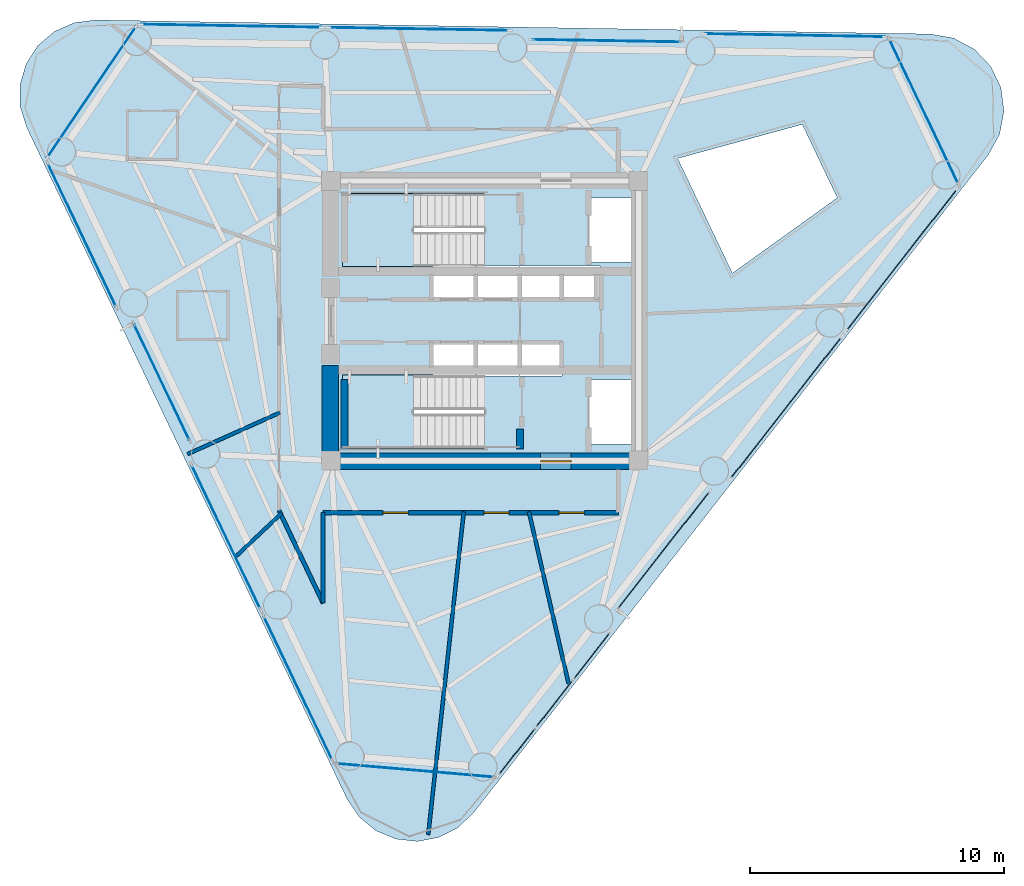
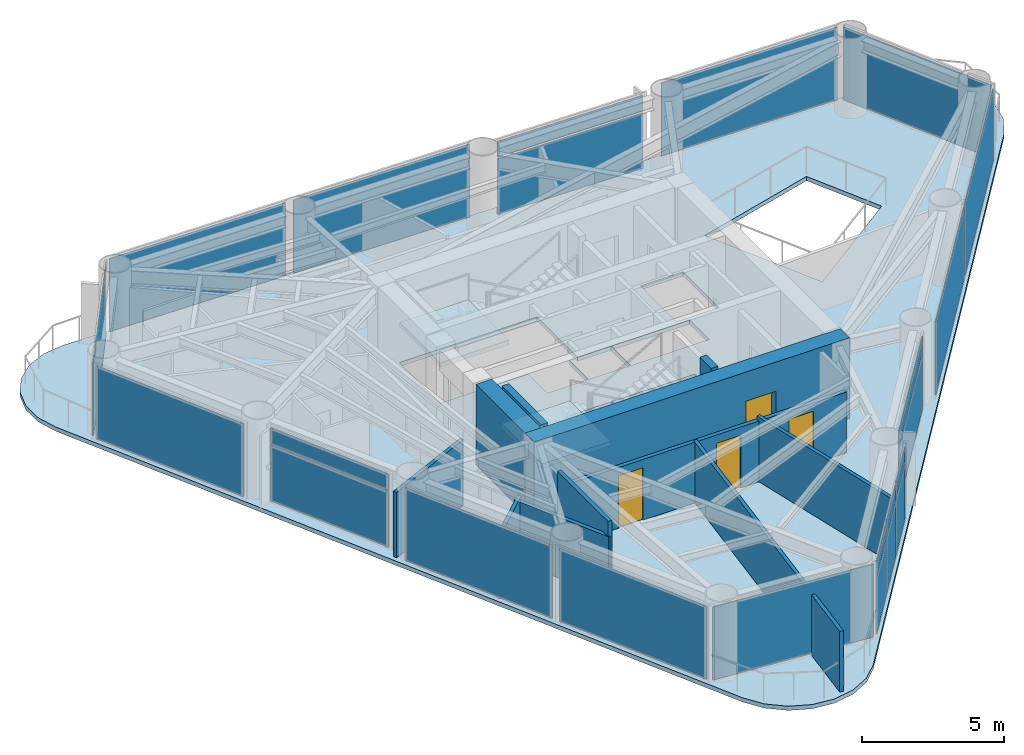
# One storey, part 4 of 9: 23 plates, 11 walls, 4 doors, 3 slabs, 4 openings, 17 elements without a shape of their own.
"""IFC4 building model written with IfcOpenShell, lengths in metres."""

from ifc_helpers import new_model, si_unit, direction, frame, frame_2d, origin, origin_2d, place, context, subcontext, project, spatial, polyline, rectangle, outline, extrude, source, transform, mapped, material, layer, layer_set, type_object, element, fill, aggregate, save


model = new_model("IFC4")

# Units and contexts
model_context = context("Model", 3, precision=1e-05, world=origin(), true_north=direction((0.0, 1.0)))
body_context = subcontext(model_context, "Body", "Model", "MODEL_VIEW")
ifc_project = project(units=[si_unit("LENGTHUNIT", "METRE"), si_unit("AREAUNIT", "SQUARE_METRE"), si_unit("VOLUMEUNIT", "CUBIC_METRE"), si_unit("PLANEANGLEUNIT", "RADIAN"), si_unit("MASSUNIT", "GRAM", prefix="KILO")], contexts=[model_context])

# Site, building, storey
site_placement = place(None, origin())
site = spatial("IfcSite", under=ifc_project, at=site_placement, CompositionType="ELEMENT")
building_placement = place(site_placement, origin())
building = spatial("IfcBuilding", under=site, at=building_placement, Name="Yunling Apex Tower", CompositionType="ELEMENT")
storey_placement = place(building_placement, frame((0.0, 0.0, 208.699951171875)))
storey = spatial("IfcBuildingStorey", under=building, at=storey_placement, Name="L51", CompositionType="ELEMENT", Elevation=208.699951171875)

# Slab
ifc_material_1 = material(Name="Concrete C40", Category="concrete")
ifc_layer_1 = layer(ifc_material_1, 0.1650390625)
ifc_layer_set_1 = layer_set([ifc_layer_1], Name="Concrete C40")
slab_type_1 = type_object("IfcSlabType", Name="SL-FLR-2", PredefinedType="FLOOR", material=ifc_layer_set_1)
slab_1_placement = place(storey_placement, frame((0.0, 0.0, -0.179931640625)))
element("IfcSlab", 1, at=slab_1_placement, inside=storey, type_object=slab_type_1, Name="L51 Composite Tower Floor Slab", PredefinedType="FLOOR", context=body_context, shape_type="SweptSolid", body=[
    extrude(outline(polyline([(-5.42578125, -18.80419921875), (-4.95068359375, -19.513427734375), (-4.29248046875, -20.056884765625), (-3.506103515625, -20.38916015625), (-2.65771484375, -20.482421875), (-1.818115234375, -20.32861328125), (-1.0576171875, -19.941162109375), (-0.439697265625, -19.35205078125), (19.8017578125, 6.518798828125), (20.25244140625, 7.333251953125), (20.427001953125, 8.24755859375), (20.307861328125, 9.1708984375), (19.9072265625, 10.010986328125), (19.2646484375, 10.684326171875), (18.4443359375, 11.1240234375), (17.527587890625, 11.286376953125), (-15.316162109375, 11.8369140625), (-16.16259765625, 11.7275390625), (-16.9423828125, 11.38037109375), (-17.59033203125, 10.824462890625), (-18.0517578125, 10.1064453125), (-18.288330078125, 9.286376953125), (-18.2802734375, 8.4326171875), (-18.0283203125, 7.6171875), (-5.42578125, -18.80419921875)]), holes=[polyline([(12.489013671875, 7.7294921875), (13.86669921875, 4.84130859375), (9.7412109375, 1.87646484375), (7.58837890625, 6.389404296875), (12.489013671875, 7.7294921875)]), polyline([(4.090087890625, -2.320068359375), (5.81005859375, -2.320068359375), (5.81005859375, -4.840087890625), (4.090087890625, -4.840087890625), (4.090087890625, -2.320068359375)]), polyline([(5.81005859375, 4.840087890625), (5.81005859375, 2.320068359375), (4.090087890625, 2.320068359375), (4.090087890625, 4.840087890625), (5.81005859375, 4.840087890625)]), polyline([(1.364990234375, 2.1650390625), (4.534912109375, 2.1650390625), (4.534912109375, 0.794921875), (1.364990234375, 0.794921875), (1.364990234375, 2.1650390625)]), polyline([(3.034912109375, -0.794921875), (3.034912109375, -2.1650390625), (1.364990234375, -2.1650390625), (1.364990234375, -0.794921875), (3.034912109375, -0.794921875)]), polyline([(-2.034912109375, -0.794921875), (-0.364990234375, -0.794921875), (-0.364990234375, -2.139892578125), (-0.3349609375, -2.139892578125), (-0.3349609375, -0.794921875), (1.3349609375, -0.794921875), (1.3349609375, -2.1650390625), (-0.010009765625, -2.1650390625), (-0.010009765625, -5.010009765625), (-5.60009765625, -5.010009765625), (-5.60009765625, -2.139892578125), (-2.034912109375, -2.139892578125), (-2.034912109375, -0.794921875)]), polyline([(-5.60009765625, 2.139892578125), (-5.60009765625, 5.010009765625), (-0.010009765625, 5.010009765625), (-0.010009765625, 2.1650390625), (1.3349609375, 2.1650390625), (1.3349609375, 0.794921875), (-0.3349609375, 0.794921875), (-0.3349609375, 2.139892578125), (-0.364990234375, 2.139892578125), (-0.364990234375, 0.794921875), (-2.034912109375, 0.794921875), (-2.034912109375, 2.139892578125), (-5.60009765625, 2.139892578125)])]), origin(), (0.0, 0.0, 1.0), 0.179931640625),
])

# Stair, slab
stair_type = type_object("IfcStairType", Name="ST-TWR-2", PredefinedType="HALF_TURN_STAIR", material=ifc_material_1)
stair_1_placement = place(storey_placement, origin())
stair_1 = element("IfcStair", 2, at=stair_1_placement, inside=storey, type_object=stair_type, Name="L51 North Core Smokeproof Exit Stair ST-1", PredefinedType="HALF_TURN_STAIR")
ifc_layer_2 = layer(ifc_material_1, 0.195068359375)
ifc_layer_set_2 = layer_set([ifc_layer_2], Name="Concrete C40")
slab_type_2 = type_object("IfcSlabType", Name="SL-LND-1", PredefinedType="LANDING", material=ifc_layer_set_2)
slab_2_placement = place(storey_placement, frame((0.0, 0.0, 1.530029296875)))
slab_2 = element("IfcSlab", 3, at=slab_2_placement, type_object=slab_type_2, Name="ST-1 landing 1", PredefinedType="LANDING", context=body_context, shape_type="SweptSolid", body=[
    extrude(outline(polyline([(-2.81005859375, 5.010009765625), (-5.60009765625, 5.010009765625), (-5.60009765625, 2.139892578125), (-2.81005859375, 2.139892578125), (-2.81005859375, 5.010009765625)])), origin(), (0.0, 0.0, 1.0), 0.195068359375),
])
aggregate(stair_1, [slab_2])

stair_2_placement = place(storey_placement, origin())
stair_2 = element("IfcStair", 4, at=stair_2_placement, inside=storey, type_object=stair_type, Name="L51 South Core Smokeproof Exit Stair ST-2", PredefinedType="HALF_TURN_STAIR")
slab_3_placement = place(storey_placement, frame((0.0, 0.0, 1.530029296875)))
slab_3 = element("IfcSlab", 5, at=slab_3_placement, type_object=slab_type_2, Name="ST-2 landing 1", PredefinedType="LANDING", context=body_context, shape_type="SweptSolid", body=[
    extrude(outline(polyline([(-2.81005859375, -2.139892578125), (-5.60009765625, -2.139892578125), (-5.60009765625, -5.010009765625), (-2.81005859375, -5.010009765625), (-2.81005859375, -2.139892578125)])), origin(), (0.0, 0.0, 1.0), 0.195068359375),
])
aggregate(stair_2, [slab_3])

# Curtain wall, plates
ifc_material_2 = material(Name="Bronze anodised aluminium", Category="aluminium")
ifc_layer_3 = layer(ifc_material_2, 0.239990234375)
ifc_layer_set_3 = layer_set([ifc_layer_3], Name="Bronze anodised aluminium")
curtain_wall_type = type_object("IfcCurtainWallType", Name="CW-SYS-3", PredefinedType="NOTDEFINED", material=ifc_layer_set_3)
curtain_wall_1_placement = place(storey_placement, origin())
curtain_wall_1 = element("IfcCurtainWall", 6, at=curtain_wall_1_placement, inside=storey, type_object=curtain_wall_type, Name="CW-L51-F1-B1", PredefinedType="NOTDEFINED")
ifc_material_3 = material(Name="Bronze tinted low-E glass", Category="glass")
ifc_layer_4 = layer(ifc_material_3, 0.031982421875)
ifc_layer_set_4 = layer_set([ifc_layer_4], Name="Bronze tinted low-E glass")
plate_type = type_object("IfcPlateType", Name="CW-PNL-3", PredefinedType="CURTAIN_PANEL", material=ifc_layer_set_4)
shared_shape_1 = source(origin(), body_context, "Body", "SweptSolid", [
    extrude(rectangle(XDim=2.306396484375, YDim=0.031982421875, at=origin_2d()), origin(), (0.0, 0.0, 1.0), 2.381103515625),
])
plate_1_placement = place(storey_placement, frame((1.266357421875, -16.9443359375, 0.072265625), z_axis=(0.0, 0.0, 1.0), x_axis=(0.616200489644, 0.787589332433, 0.0)))
plate_1 = element("IfcPlate", 7, at=plate_1_placement, type_object=plate_type, Name="CW-SYS-3 panel 1.1", PredefinedType="CURTAIN_PANEL", context=body_context, shape_type="MappedRepresentation", body=[
    mapped(shared_shape_1, transform((0.0, 0.0, 0.0), scale=1.0)),
])
plate_2_placement = place(storey_placement, frame((4.212158203125, -13.17919921875, 0.072265625), z_axis=(0.0, 0.0, 1.0), x_axis=(0.616200489644, 0.787589332433, 0.0)))
plate_2 = element("IfcPlate", 8, at=plate_2_placement, type_object=plate_type, Name="CW-SYS-3 panel 3.1", PredefinedType="CURTAIN_PANEL", context=body_context, shape_type="MappedRepresentation", body=[
    mapped(shared_shape_1, transform((0.0, 0.0, 0.0), scale=1.0)),
])
shared_shape_2 = source(origin(), body_context, "Body", "SweptSolid", [
    extrude(rectangle(XDim=2.306396484375, YDim=0.031982421875, at=origin_2d()), origin(), (0.0, 0.0, 1.0), 0.680908203125),
])
plate_3_placement = place(storey_placement, frame((1.266357421875, -16.9443359375, 2.51708984375), z_axis=(0.0, 0.0, 1.0), x_axis=(0.616200489644, 0.787589332433, 0.0)))
plate_3 = element("IfcPlate", 9, at=plate_3_placement, type_object=plate_type, Name="CW-SYS-3 panel 1.2", PredefinedType="CURTAIN_PANEL", context=body_context, shape_type="MappedRepresentation", body=[
    mapped(shared_shape_2, transform((0.0, 0.0, 0.0), scale=1.0)),
])
plate_4_placement = place(storey_placement, frame((4.212158203125, -13.17919921875, 2.51708984375), z_axis=(0.0, 0.0, 1.0), x_axis=(0.616200489644, 0.787589332433, 0.0)))
plate_4 = element("IfcPlate", 10, at=plate_4_placement, type_object=plate_type, Name="CW-SYS-3 panel 3.2", PredefinedType="CURTAIN_PANEL", context=body_context, shape_type="MappedRepresentation", body=[
    mapped(shared_shape_2, transform((0.0, 0.0, 0.0), scale=1.0)),
])
shared_shape_3 = source(origin(), body_context, "Body", "SweptSolid", [
    extrude(rectangle(XDim=2.34619140625, YDim=0.031982421875, at=origin_2d()), origin(), (0.0, 0.0, 1.0), 2.381103515625),
])
plate_5_placement = place(storey_placement, frame((2.7392578125, -15.061767578125, 0.072265625), z_axis=(0.0, 0.0, 1.0), x_axis=(0.616200489644, 0.787589332433, 0.0)))
plate_5 = element("IfcPlate", 11, at=plate_5_placement, type_object=plate_type, Name="CW-SYS-3 panel 2.1", PredefinedType="CURTAIN_PANEL", context=body_context, shape_type="MappedRepresentation", body=[
    mapped(shared_shape_3, transform((0.0, 0.0, 0.0), scale=1.0)),
])
shared_shape_4 = source(origin(), body_context, "Body", "SweptSolid", [
    extrude(rectangle(XDim=2.34619140625, YDim=0.031982421875, at=origin_2d()), origin(), (0.0, 0.0, 1.0), 0.680908203125),
])
plate_6_placement = place(storey_placement, frame((2.7392578125, -15.061767578125, 2.51708984375), z_axis=(0.0, 0.0, 1.0), x_axis=(0.616200489644, 0.787589332433, 0.0)))
plate_6 = element("IfcPlate", 12, at=plate_6_placement, type_object=plate_type, Name="CW-SYS-3 panel 2.2", PredefinedType="CURTAIN_PANEL", context=body_context, shape_type="MappedRepresentation", body=[
    mapped(shared_shape_4, transform((0.0, 0.0, 0.0), scale=1.0)),
])
aggregate(curtain_wall_1, [plate_1, plate_3, plate_5, plate_6, plate_2, plate_4])

# Curtain wall, plate
curtain_wall_2_placement = place(storey_placement, origin())
curtain_wall_2 = element("IfcCurtainWall", 13, at=curtain_wall_2_placement, inside=storey, type_object=curtain_wall_type, Name="CW-L51-F1-B2", PredefinedType="NOTDEFINED")
shared_shape_5 = source(origin(), body_context, "Body", "SweptSolid", [
    extrude(rectangle(XDim=5.846923828125, YDim=0.031982421875, at=origin_2d()), origin(), (0.0, 0.0, 1.0), 2.381103515625),
])
plate_7_placement = place(storey_placement, frame((7.025634765625, -9.03125, 0.072265625), z_axis=(0.0, 0.0, 1.0), x_axis=(0.616216892053, 0.787576499109, 0.0)))
plate_7 = element("IfcPlate", 14, at=plate_7_placement, type_object=plate_type, Name="CW-SYS-3 panel 1.1", PredefinedType="CURTAIN_PANEL", context=body_context, shape_type="MappedRepresentation", body=[
    mapped(shared_shape_5, transform((0.0, 0.0, 0.0), scale=1.0)),
])

curtain_wall_3_placement = place(storey_placement, origin())
curtain_wall_3 = element("IfcCurtainWall", 15, at=curtain_wall_3_placement, inside=storey, type_object=curtain_wall_type, Name="CW-L51-F2-B2", PredefinedType="NOTDEFINED")
plate_8_placement = place(storey_placement, frame((4.792724609375, 11.019775390625, 0.072265625), z_axis=(0.0, 0.0, 1.0), x_axis=(-0.999859564213, 0.016758635119, 0.0)))
plate_8 = element("IfcPlate", 16, at=plate_8_placement, type_object=plate_type, Name="CW-SYS-3 panel 1.1", PredefinedType="CURTAIN_PANEL", context=body_context, shape_type="MappedRepresentation", body=[
    mapped(shared_shape_5, transform((0.0, 0.0, 0.0), scale=1.0)),
])

# Plate
shared_shape_6 = source(origin(), body_context, "Body", "SweptSolid", [
    extrude(rectangle(XDim=5.846923828125, YDim=0.031982421875, at=origin_2d()), origin(), (0.0, 0.0, 1.0), 0.680908203125),
])
plate_9_placement = place(storey_placement, frame((7.025634765625, -9.03125, 2.51708984375), z_axis=(0.0, 0.0, 1.0), x_axis=(0.616216892053, 0.787576499109, 0.0)))
plate_9 = element("IfcPlate", 17, at=plate_9_placement, type_object=plate_type, Name="CW-SYS-3 panel 1.2", PredefinedType="CURTAIN_PANEL", context=body_context, shape_type="MappedRepresentation", body=[
    mapped(shared_shape_6, transform((0.0, 0.0, 0.0), scale=1.0)),
])

aggregate(curtain_wall_2, [plate_7, plate_9])

plate_10_placement = place(storey_placement, frame((4.792724609375, 11.019775390625, 2.51708984375), z_axis=(0.0, 0.0, 1.0), x_axis=(-0.999859564213, 0.016758635119, 0.0)))
plate_10 = element("IfcPlate", 18, at=plate_10_placement, type_object=plate_type, Name="CW-SYS-3 panel 1.2", PredefinedType="CURTAIN_PANEL", context=body_context, shape_type="MappedRepresentation", body=[
    mapped(shared_shape_6, transform((0.0, 0.0, 0.0), scale=1.0)),
])

aggregate(curtain_wall_3, [plate_8, plate_10])

# Curtain wall, plate
curtain_wall_4_placement = place(storey_placement, origin())
curtain_wall_4 = element("IfcCurtainWall", 19, at=curtain_wall_4_placement, inside=storey, type_object=curtain_wall_type, Name="CW-L51-F1-B3", PredefinedType="NOTDEFINED")
shared_shape_7 = source(origin(), body_context, "Body", "SweptSolid", [
    extrude(rectangle(XDim=7.0869140625, YDim=0.031982421875, at=origin_2d()), origin(), (0.0, 0.0, 1.0), 3.1259765625),
])
plate_11_placement = place(storey_placement, frame((11.847900390625, -3.419921875, 0.072021484375), z_axis=(0.0, 0.0, 1.0), x_axis=(0.616200489644, 0.787589332433, 0.0)))
plate_11 = element("IfcPlate", 20, at=plate_11_placement, type_object=plate_type, Name="CW-SYS-3 panel 1.1", PredefinedType="CURTAIN_PANEL", context=body_context, shape_type="MappedRepresentation", body=[
    mapped(shared_shape_7, transform((0.0, 0.0, 0.0), scale=1.0)),
])
aggregate(curtain_wall_4, [plate_11])

curtain_wall_5_placement = place(storey_placement, origin())
curtain_wall_5 = element("IfcCurtainWall", 21, at=curtain_wall_5_placement, inside=storey, type_object=curtain_wall_type, Name="CW-L51-F1-B4", PredefinedType="NOTDEFINED")
plate_12_placement = place(storey_placement, frame((16.402099609375, 2.401123046875, 0.072021484375), z_axis=(0.0, 0.0, 1.0), x_axis=(0.616200489644, 0.787589332433, 0.0)))
plate_12 = element("IfcPlate", 22, at=plate_12_placement, type_object=plate_type, Name="CW-SYS-3 panel 1.1", PredefinedType="CURTAIN_PANEL", context=body_context, shape_type="MappedRepresentation", body=[
    mapped(shared_shape_7, transform((0.0, 0.0, 0.0), scale=1.0)),
])
aggregate(curtain_wall_5, [plate_12])

curtain_wall_6_placement = place(storey_placement, origin())
curtain_wall_6 = element("IfcCurtainWall", 23, at=curtain_wall_6_placement, inside=storey, type_object=curtain_wall_type, Name="CW-L51-F2-B1", PredefinedType="NOTDEFINED")
plate_13_placement = place(storey_placement, frame((12.188232421875, 11.23583984375, 0.072021484375), z_axis=(0.0, 0.0, 1.0), x_axis=(-0.999859518498, 0.016761362354, 0.0)))
plate_13 = element("IfcPlate", 24, at=plate_13_placement, type_object=plate_type, Name="CW-SYS-3 panel 1.1", PredefinedType="CURTAIN_PANEL", context=body_context, shape_type="MappedRepresentation", body=[
    mapped(shared_shape_7, transform((0.0, 0.0, 0.0), scale=1.0)),
])
aggregate(curtain_wall_6, [plate_13])

curtain_wall_7_placement = place(storey_placement, origin())
curtain_wall_7 = element("IfcCurtainWall", 25, at=curtain_wall_7_placement, inside=storey, type_object=curtain_wall_type, Name="CW-L51-F2-B3", PredefinedType="NOTDEFINED")
plate_14_placement = place(storey_placement, frame((-2.591552734375, 11.483642578125, 0.072021484375), z_axis=(0.0, 0.0, 1.0), x_axis=(-0.999859754051, 0.016747305141, 0.0)))
plate_14 = element("IfcPlate", 26, at=plate_14_placement, type_object=plate_type, Name="CW-SYS-3 panel 1.1", PredefinedType="CURTAIN_PANEL", context=body_context, shape_type="MappedRepresentation", body=[
    mapped(shared_shape_7, transform((0.0, 0.0, 0.0), scale=1.0)),
])
aggregate(curtain_wall_7, [plate_14])

curtain_wall_8_placement = place(storey_placement, origin())
curtain_wall_8 = element("IfcCurtainWall", 27, at=curtain_wall_8_placement, inside=storey, type_object=curtain_wall_type, Name="CW-L51-F2-B4", PredefinedType="NOTDEFINED")
plate_15_placement = place(storey_placement, frame((-9.9814453125, 11.607421875, 0.072021484375), z_axis=(0.0, 0.0, 1.0), x_axis=(-0.999859518498, 0.016761362354, 0.0)))
plate_15 = element("IfcPlate", 28, at=plate_15_placement, type_object=plate_type, Name="CW-SYS-3 panel 1.1", PredefinedType="CURTAIN_PANEL", context=body_context, shape_type="MappedRepresentation", body=[
    mapped(shared_shape_7, transform((0.0, 0.0, 0.0), scale=1.0)),
])
aggregate(curtain_wall_8, [plate_15])

curtain_wall_9_placement = place(storey_placement, origin())
curtain_wall_9 = element("IfcCurtainWall", 29, at=curtain_wall_9_placement, inside=storey, type_object=curtain_wall_type, Name="CW-L51-CRN1", PredefinedType="NOTDEFINED")
shared_shape_8 = source(origin(), body_context, "Body", "SweptSolid", [
    extrude(rectangle(XDim=6.31494140625, YDim=0.031982421875, at=origin_2d()), origin(), (0.0, 0.0, 1.0), 3.1259765625),
])
plate_16_placement = place(storey_placement, frame((17.273193359375, 8.239013671875, 0.072021484375), z_axis=(0.0, 0.0, 1.0), x_axis=(-0.430527245951, 0.902577581426, 0.0)))
plate_16 = element("IfcPlate", 30, at=plate_16_placement, type_object=plate_type, Name="CW-SYS-3 panel 1.1", PredefinedType="CURTAIN_PANEL", context=body_context, shape_type="MappedRepresentation", body=[
    mapped(shared_shape_8, transform((0.0, 0.0, 0.0), scale=1.0)),
])
aggregate(curtain_wall_9, [plate_16])

curtain_wall_10_placement = place(storey_placement, origin())
curtain_wall_10 = element("IfcCurtainWall", 31, at=curtain_wall_10_placement, inside=storey, type_object=curtain_wall_type, Name="CW-L51-CRN2", PredefinedType="NOTDEFINED")
shared_shape_9 = source(origin(), body_context, "Body", "SweptSolid", [
    extrude(rectangle(XDim=6.237060546875, YDim=0.031982421875, at=origin_2d()), origin(), (0.0, 0.0, 1.0), 3.1259765625),
])
plate_17_placement = place(storey_placement, frame((-15.465087890625, 9.007080078125, 0.072021484375), z_axis=(0.0, 0.0, 1.0), x_axis=(-0.56057021458, -0.828106898006, 0.0)))
plate_17 = element("IfcPlate", 32, at=plate_17_placement, type_object=plate_type, Name="CW-SYS-3 panel 1.1", PredefinedType="CURTAIN_PANEL", context=body_context, shape_type="MappedRepresentation", body=[
    mapped(shared_shape_9, transform((0.0, 0.0, 0.0), scale=1.0)),
])
aggregate(curtain_wall_10, [plate_17])

curtain_wall_11_placement = place(storey_placement, origin())
curtain_wall_11 = element("IfcCurtainWall", 33, at=curtain_wall_11_placement, inside=storey, type_object=curtain_wall_type, Name="CW-L51-CRN3", PredefinedType="NOTDEFINED")
plate_18_placement = place(storey_placement, frame((-2.732666015625, -17.68701171875, 0.072021484375), z_axis=(0.0, 0.0, 1.0), x_axis=(0.996336698637, -0.085517150026, 0.0)))
plate_18 = element("IfcPlate", 34, at=plate_18_placement, type_object=plate_type, Name="CW-SYS-3 panel 1.1", PredefinedType="CURTAIN_PANEL", context=body_context, shape_type="MappedRepresentation", body=[
    mapped(shared_shape_9, transform((0.0, 0.0, 0.0), scale=1.0)),
])
aggregate(curtain_wall_11, [plate_18])

curtain_wall_12_placement = place(storey_placement, origin())
curtain_wall_12 = element("IfcCurtainWall", 35, at=curtain_wall_12_placement, inside=storey, type_object=curtain_wall_type, Name="CW-L51-F3-B1", PredefinedType="NOTDEFINED")
shared_shape_10 = source(origin(), body_context, "Body", "SweptSolid", [
    extrude(rectangle(XDim=6.282470703125, YDim=0.031982421875, at=origin_2d()), origin(), (0.0, 0.0, 1.0), 3.1259765625),
])
plate_19_placement = place(storey_placement, frame((-15.85400390625, 3.384033203125, 0.072021484375), z_axis=(0.0, 0.0, 1.0), x_axis=(0.430517577128, -0.902582193367, 0.0)))
plate_19 = element("IfcPlate", 36, at=plate_19_placement, type_object=plate_type, Name="CW-SYS-3 panel 1.1", PredefinedType="CURTAIN_PANEL", context=body_context, shape_type="MappedRepresentation", body=[
    mapped(shared_shape_10, transform((0.0, 0.0, 0.0), scale=1.0)),
])
aggregate(curtain_wall_12, [plate_19])

curtain_wall_13_placement = place(storey_placement, origin())
curtain_wall_13 = element("IfcCurtainWall", 37, at=curtain_wall_13_placement, inside=storey, type_object=curtain_wall_type, Name="CW-L51-F3-B3", PredefinedType="NOTDEFINED")
plate_20_placement = place(storey_placement, frame((-10.182861328125, -8.505615234375, 0.072021484375), z_axis=(0.0, 0.0, 1.0), x_axis=(0.430504900417, -0.902588239851, 0.0)))
plate_20 = element("IfcPlate", 38, at=plate_20_placement, type_object=plate_type, Name="CW-SYS-3 panel 1.1", PredefinedType="CURTAIN_PANEL", context=body_context, shape_type="MappedRepresentation", body=[
    mapped(shared_shape_10, transform((0.0, 0.0, 0.0), scale=1.0)),
])
aggregate(curtain_wall_13, [plate_20])

curtain_wall_14_placement = place(storey_placement, origin())
curtain_wall_14 = element("IfcCurtainWall", 39, at=curtain_wall_14_placement, inside=storey, type_object=curtain_wall_type, Name="CW-L51-F3-B4", PredefinedType="NOTDEFINED")
plate_21_placement = place(storey_placement, frame((-7.347412109375, -14.450439453125, 0.072021484375), z_axis=(0.0, 0.0, 1.0), x_axis=(0.430517577128, -0.902582193367, 0.0)))
plate_21 = element("IfcPlate", 40, at=plate_21_placement, type_object=plate_type, Name="CW-SYS-3 panel 1.1", PredefinedType="CURTAIN_PANEL", context=body_context, shape_type="MappedRepresentation", body=[
    mapped(shared_shape_10, transform((0.0, 0.0, 0.0), scale=1.0)),
])
aggregate(curtain_wall_14, [plate_21])

# Curtain wall, plates
curtain_wall_15_placement = place(storey_placement, origin())
curtain_wall_15 = element("IfcCurtainWall", 41, at=curtain_wall_15_placement, inside=storey, type_object=curtain_wall_type, Name="CW-L51-F3-B2", PredefinedType="NOTDEFINED")
shared_shape_11 = source(origin(), body_context, "Body", "SweptSolid", [
    extrude(rectangle(XDim=5.042236328125, YDim=0.031982421875, at=origin_2d()), origin(), (0.0, 0.0, 1.0), 2.381103515625),
])
plate_22_placement = place(storey_placement, frame((-12.71142578125, -2.41455078125, 0.072265625), z_axis=(0.0, 0.0, 1.0), x_axis=(0.430515783062, -0.902583049107, 0.0)))
plate_22 = element("IfcPlate", 42, at=plate_22_placement, type_object=plate_type, Name="CW-SYS-3 panel 1.1", PredefinedType="CURTAIN_PANEL", context=body_context, shape_type="MappedRepresentation", body=[
    mapped(shared_shape_11, transform((0.0, 0.0, 0.0), scale=1.0)),
])
shared_shape_12 = source(origin(), body_context, "Body", "SweptSolid", [
    extrude(rectangle(XDim=5.042236328125, YDim=0.031982421875, at=origin_2d()), origin(), (0.0, 0.0, 1.0), 0.680908203125),
])
plate_23_placement = place(storey_placement, frame((-12.71142578125, -2.41455078125, 2.51708984375), z_axis=(0.0, 0.0, 1.0), x_axis=(0.430515783062, -0.902583049107, 0.0)))
plate_23 = element("IfcPlate", 43, at=plate_23_placement, type_object=plate_type, Name="CW-SYS-3 panel 1.2", PredefinedType="CURTAIN_PANEL", context=body_context, shape_type="MappedRepresentation", body=[
    mapped(shared_shape_12, transform((0.0, 0.0, 0.0), scale=1.0)),
])
aggregate(curtain_wall_15, [plate_22, plate_23])

# Wall, opening, door
ifc_material_4 = material(Name="Concrete C50", Category="concrete")
ifc_layer_5 = layer(ifc_material_4, 0.64990234375)
ifc_layer_set_5 = layer_set([ifc_layer_5], Name="Concrete C50")
wall_type_1 = type_object("IfcWallType", Name="WL-COR-2", PredefinedType="SHEAR", material=ifc_layer_set_5)
wall_1_placement = place(storey_placement, frame((-6.39990234375, -5.52490234375, 0.0), z_axis=(0.0, 0.0, 1.0), x_axis=(1.0, 0.0, 0.0)))
wall_1 = element("IfcWall", 44, at=wall_1_placement, inside=storey, type_object=wall_type_1, Name="L51 South Core Shear Wall", PredefinedType="SHEAR", context=body_context, shape_type="SweptSolid", body=[
    extrude(rectangle(XDim=12.7998046875, YDim=0.64990234375, at=frame_2d((6.39990234375, 0.0))), origin(), (0.0, 0.0, 1.0), 3.449951171875),
])
opening_1_placement = place(wall_1_placement, frame((8.60009765625, 0.0, 0.0)))
opening_1 = element("IfcOpeningElement", 45, at=opening_1_placement, cuts=wall_1, Name="Opening DR-FFL-1", PredefinedType="OPENING", context=body_context, shape_type="SweptSolid", body=[
    extrude(rectangle(XDim=1.199951171875, YDim=2.199951171875, at=frame_2d((0.60009765625, 1.10009765625))), frame((0.0, 0.3349609375, 0.0), z_axis=(0.0, -1.0, 0.0), x_axis=(1.0, 0.0, 0.0)), (0.0, 0.0, 1.0), 0.669921875),
])
ifc_material_5 = material(Name="Steel Q355B", Category="steel")
door_type_1 = type_object("IfcDoorType", Name="DR-FFL-1", OperationType="NOTDEFINED", PredefinedType="DOOR", material=ifc_material_5)
door_1_placement = place(opening_1_placement, origin())
door_1 = element("IfcDoor", 46, at=door_1_placement, inside=storey, type_object=door_type_1, Name="L51 South Firefighting Lobby Door", OperationType="SINGLE_SWING_RIGHT", OverallHeight=2.199951171875, OverallWidth=1.199951171875, PredefinedType="DOOR", context=body_context, shape_type="SweptSolid", body=[
    extrude(rectangle(XDim=1.199951171875, YDim=2.199951171875, at=frame_2d((0.60009765625, 1.10009765625))), frame((0.0, 0.02490234375, 0.0), z_axis=(0.0, -1.0, 0.0), x_axis=(1.0, 0.0, 0.0)), (0.0, 0.0, 1.0), 0.050048828125),
])
fill(opening_1, door_1)

# Walls
wall_2_placement = place(storey_placement, frame((-6.074951171875, -5.199951171875, 0.0), z_axis=(0.0, 0.0, 1.0), x_axis=(0.0, 1.0, 0.0)))
element("IfcWall", 47, at=wall_2_placement, inside=storey, type_object=wall_type_1, Name="L51 West-South Core Shear Wall", PredefinedType="SHEAR", context=body_context, shape_type="SweptSolid", body=[
    extrude(rectangle(XDim=3.449951171875, YDim=0.64990234375, at=frame_2d((1.72509765625, 0.0))), origin(), (0.0, 0.0, 1.0), 3.449951171875),
])
ifc_layer_6 = layer(ifc_material_1, 0.280029296875)
ifc_layer_set_6 = layer_set([ifc_layer_6], Name="Concrete C40")
wall_type_2 = type_object("IfcWallType", Name="WL-COR-8", PredefinedType="SHEAR", material=ifc_layer_set_6)
wall_3_placement = place(storey_placement, frame((-5.52001953125, -5.050048828125, 0.0), z_axis=(0.0, 0.0, 1.0), x_axis=(0.0, 1.0, 0.0)))
element("IfcWall", 48, at=wall_3_placement, inside=storey, type_object=wall_type_2, Name="L51 ST-2 West Landing Bearing Wall", PredefinedType="SHEAR", context=body_context, shape_type="SweptSolid", body=[
    extrude(rectangle(XDim=2.75, YDim=0.280029296875, at=frame_2d((1.375, 0.0))), origin(), (0.0, 0.0, 1.0), 3.449951171875),
])
wall_4_placement = place(storey_placement, frame((1.3798828125, -5.050048828125, 0.0), z_axis=(0.0, 0.0, 1.0), x_axis=(0.0, 1.0, 0.0)))
element("IfcWall", 49, at=wall_4_placement, inside=storey, type_object=wall_type_2, Name="L51 ST-2 East Landing Bearing Pier", PredefinedType="SHEAR", context=body_context, shape_type="SweptSolid", body=[
    extrude(rectangle(XDim=0.800048828125, YDim=0.280029296875, at=frame_2d((0.39990234375, 0.0))), origin(), (0.0, 0.0, 1.0), 3.449951171875),
])
ifc_material_6 = material(Name="Gypsum board acoustic partition")
ifc_layer_7 = layer(ifc_material_6, 0.159912109375)
ifc_layer_set_7 = layer_set([ifc_layer_7], Name="Gypsum board acoustic partition")
wall_type_3 = type_object("IfcWallType", Name="WL-PRT-1", PredefinedType="PARTITIONING", material=ifc_layer_set_7)
wall_5_placement = place(storey_placement, frame((-6.360107421875, -11.1083984375, 0.0), z_axis=(0.0, 0.0, 1.0), x_axis=(-0.430489180359, 0.902595737633, 0.0)))
element("IfcWall", 50, at=wall_5_placement, inside=storey, type_object=wall_type_3, Name="WL-CORR-L51-01", PredefinedType="PARTITIONING", context=body_context, shape_type="SweptSolid", body=[
    extrude(rectangle(XDim=4.0419921875, YDim=0.159912109375, at=frame_2d((2.02099609375, 0.0))), origin(), (0.0, 0.0, 1.0), 2.60498046875),
])

# Wall, openings, doors
wall_6_placement = place(storey_placement, frame((5.25, -7.550048828125, 0.0), z_axis=(0.0, 0.0, 1.0), x_axis=(-1.0, 0.0, 0.0)))
wall_6 = element("IfcWall", 51, at=wall_6_placement, inside=storey, type_object=wall_type_3, Name="WL-CORR-L51-09", PredefinedType="PARTITIONING", context=body_context, shape_type="SweptSolid", body=[
    extrude(rectangle(XDim=11.610107421875, YDim=0.159912109375, at=frame_2d((5.80517578125, 0.0))), origin(), (0.0, 0.0, 1.0), 2.60498046875),
])
opening_2_placement = place(wall_6_placement, frame((1.337158203125, 0.0, 0.0)))
opening_2 = element("IfcOpeningElement", 52, at=opening_2_placement, cuts=wall_6, Name="Opening DR-OFF-1", PredefinedType="OPENING", context=body_context, shape_type="SweptSolid", body=[
    extrude(rectangle(XDim=1.0, YDim=2.25, at=frame_2d((0.5, 1.125))), frame((0.0, 0.08984375, 0.0), z_axis=(0.0, -1.0, 0.0), x_axis=(1.0, 0.0, 0.0)), (0.0, 0.0, 1.0), 0.179931640625),
])
opening_3_placement = place(wall_6_placement, frame((4.290283203125, 0.0, 0.0)))
opening_3 = element("IfcOpeningElement", 53, at=opening_3_placement, cuts=wall_6, Name="Opening DR-OFF-1", PredefinedType="OPENING", context=body_context, shape_type="SweptSolid", body=[
    extrude(rectangle(XDim=1.0, YDim=2.25, at=frame_2d((0.5, 1.125))), frame((0.0, 0.08984375, 0.0), z_axis=(0.0, -1.0, 0.0), x_axis=(1.0, 0.0, 0.0)), (0.0, 0.0, 1.0), 0.179931640625),
])
opening_4_placement = place(wall_6_placement, frame((8.25634765625, 0.0, 0.0)))
opening_4 = element("IfcOpeningElement", 54, at=opening_4_placement, cuts=wall_6, Name="Opening DR-OFF-1", PredefinedType="OPENING", context=body_context, shape_type="SweptSolid", body=[
    extrude(rectangle(XDim=1.0, YDim=2.25, at=frame_2d((0.5, 1.125))), frame((0.0, 0.08984375, 0.0), z_axis=(0.0, -1.0, 0.0), x_axis=(1.0, 0.0, 0.0)), (0.0, 0.0, 1.0), 0.179931640625),
])
door_type_2 = type_object("IfcDoorType", Name="DR-OFF-1", OperationType="NOTDEFINED", PredefinedType="DOOR", material=ifc_material_2)
door_2_placement = place(opening_2_placement, origin())
door_2 = element("IfcDoor", 55, at=door_2_placement, inside=storey, type_object=door_type_2, Name="L51 Concierge Reception Foyer Door", OperationType="SINGLE_SWING_LEFT", OverallHeight=2.25, OverallWidth=1.0, PredefinedType="DOOR", context=body_context, shape_type="SweptSolid", body=[
    extrude(rectangle(XDim=1.0, YDim=2.25, at=frame_2d((0.5, 1.125))), frame((0.0, 0.02490234375, 0.0), z_axis=(0.0, -1.0, 0.0), x_axis=(1.0, 0.0, 0.0)), (0.0, 0.0, 1.0), 0.050048828125),
])
fill(opening_2, door_2)
door_3_placement = place(opening_3_placement, origin())
door_3 = element("IfcDoor", 56, at=door_3_placement, inside=storey, type_object=door_type_2, Name="L51 Guest Pantry Kitchen Door", OperationType="SINGLE_SWING_RIGHT", OverallHeight=2.25, OverallWidth=1.0, PredefinedType="DOOR", context=body_context, shape_type="SweptSolid", body=[
    extrude(rectangle(XDim=1.0, YDim=2.25, at=frame_2d((0.5, 1.125))), frame((0.0, 0.02490234375, 0.0), z_axis=(0.0, -1.0, 0.0), x_axis=(1.0, 0.0, 0.0)), (0.0, 0.0, 1.0), 0.050048828125),
])
fill(opening_3, door_3)
door_4_placement = place(opening_4_placement, origin())
door_4 = element("IfcDoor", 57, at=door_4_placement, inside=storey, type_object=door_type_2, Name="L51 Concierge Reception Foyer Door", OperationType="SINGLE_SWING_LEFT", OverallHeight=2.25, OverallWidth=1.0, PredefinedType="DOOR", context=body_context, shape_type="SweptSolid", body=[
    extrude(rectangle(XDim=1.0, YDim=2.25, at=frame_2d((0.5, 1.125))), frame((0.0, 0.02490234375, 0.0), z_axis=(0.0, -1.0, 0.0), x_axis=(1.0, 0.0, 0.0)), (0.0, 0.0, 1.0), 0.050048828125),
])
fill(opening_4, door_4)

# Walls
wall_7_placement = place(storey_placement, frame((-6.360107421875, -7.550048828125, 0.0), z_axis=(0.0, 0.0, 1.0), x_axis=(0.0, -1.0, 0.0)))
element("IfcWall", 58, at=wall_7_placement, inside=storey, type_object=wall_type_3, Name="WL-CORR-L51-10", PredefinedType="PARTITIONING", context=body_context, shape_type="SweptSolid", body=[
    extrude(rectangle(XDim=3.558349609375, YDim=0.159912109375, at=frame_2d((1.779296875, 0.0))), origin(), (0.0, 0.0, 1.0), 3.25),
])
ifc_layer_8 = layer(ifc_material_6, 0.139892578125)
ifc_layer_set_8 = layer_set([ifc_layer_8], Name="Gypsum board acoustic partition")
wall_type_4 = type_object("IfcWallType", Name="WL-PRT-2", PredefinedType="PARTITIONING", material=ifc_layer_set_8)
wall_8_placement = place(storey_placement, frame((-8.06005859375, -3.612548828125, 0.0), z_axis=(0.0, 0.0, 1.0), x_axis=(-0.91252825503, -0.409013671865, 0.0)))
element("IfcWall", 59, at=wall_8_placement, inside=storey, type_object=wall_type_4, Name="WL-RAD-L51-06", PredefinedType="PARTITIONING", context=body_context, shape_type="SweptSolid", body=[
    extrude(rectangle(XDim=3.983642578125, YDim=0.139892578125, at=frame_2d((1.99169921875, 0.0))), origin(), (0.0, 0.0, 1.0), 2.804931640625),
])
wall_9_placement = place(storey_placement, frame((-8.00146484375, -7.57421875, 0.0), z_axis=(0.0, 0.0, 1.0), x_axis=(-0.726232954986, -0.687448685424, 0.0)))
element("IfcWall", 60, at=wall_9_placement, inside=storey, type_object=wall_type_4, Name="WL-RAD-L51-07", PredefinedType="PARTITIONING", context=body_context, shape_type="SweptSolid", body=[
    extrude(rectangle(XDim=2.44873046875, YDim=0.139892578125, at=frame_2d((1.224365234375, 0.0))), origin(), (0.0, 0.0, 1.0), 2.76513671875),
])
wall_10_placement = place(storey_placement, frame((-0.8271484375, -7.510009765625, 0.0), z_axis=(0.0, 0.0, 1.0), x_axis=(-0.109492708445, -0.993987598915, 0.0)))
element("IfcWall", 61, at=wall_10_placement, inside=storey, type_object=wall_type_4, Name="WL-RAD-L51-08", PredefinedType="PARTITIONING", context=body_context, shape_type="SweptSolid", body=[
    extrude(rectangle(XDim=12.78759765625, YDim=0.139892578125, at=frame_2d((6.393798828125, 0.0))), origin(), (0.0, 0.0, 1.0), 2.60498046875),
])
wall_11_placement = place(storey_placement, frame((1.73388671875, -7.510009765625, 0.0), z_axis=(0.0, 0.0, 1.0), x_axis=(0.224951847052, -0.974369881774, 0.0)))
element("IfcWall", 62, at=wall_11_placement, inside=storey, type_object=wall_type_4, Name="WL-RAD-L51-09", PredefinedType="PARTITIONING", context=body_context, shape_type="SweptSolid", body=[
    extrude(rectangle(XDim=6.951416015625, YDim=0.139892578125, at=frame_2d((3.4755859375, 0.0))), origin(), (0.0, 0.0, 1.0), 2.76513671875),
])

save(model, "model.ifc")
